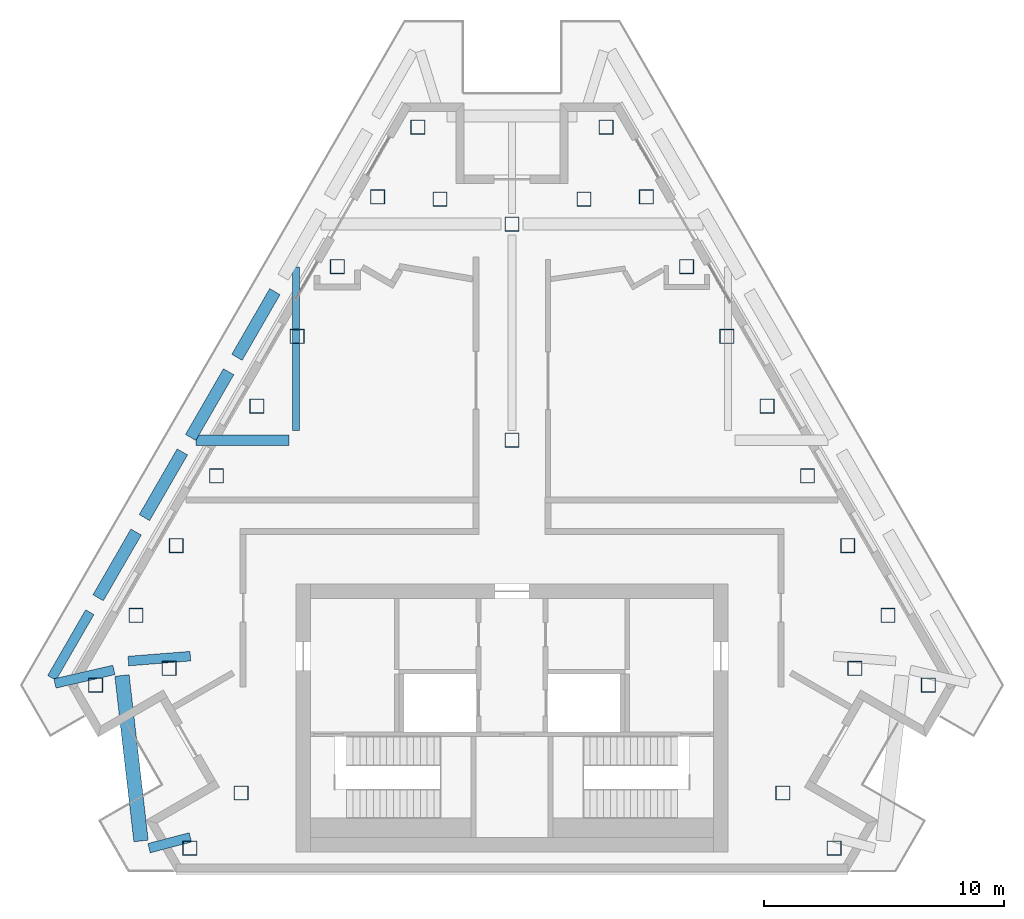
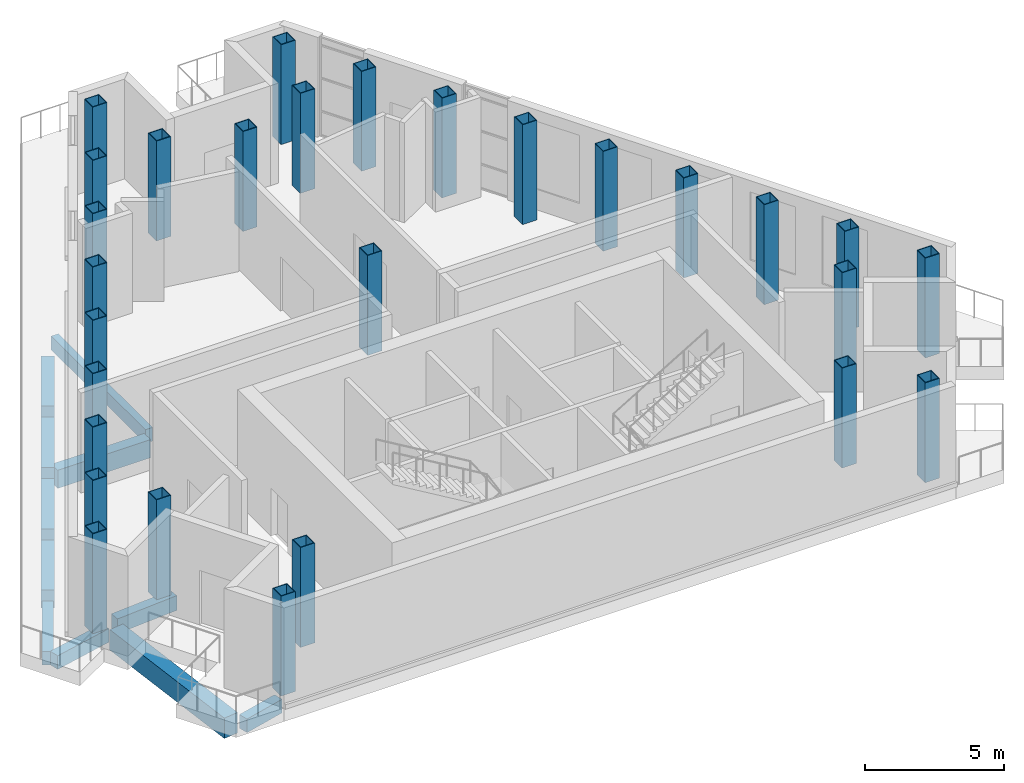
# One storey, part 1 of 7: 28 columns, 11 beams.
"""IFC4 building model written with IfcOpenShell, lengths in metres."""

from ifc_helpers import new_model, si_unit, direction, frame, origin, origin_2d, place, context, subcontext, project, spatial, rectangle, hollow_rectangle, extrude, material, material_profile, profile_set, type_object, element, save


model = new_model("IFC4")

# Units and contexts
model_context = context("Model", 3, precision=1e-05, world=origin(), true_north=direction((0.0, 1.0)))
body_context = subcontext(model_context, "Body", "Model", "MODEL_VIEW")
ifc_project = project(units=[si_unit("LENGTHUNIT", "METRE"), si_unit("AREAUNIT", "SQUARE_METRE"), si_unit("VOLUMEUNIT", "CUBIC_METRE"), si_unit("PLANEANGLEUNIT", "RADIAN"), si_unit("MASSUNIT", "GRAM", prefix="KILO")], contexts=[model_context])

# Site, building, storey
site_placement = place(None, origin())
site = spatial("IfcSite", under=ifc_project, at=site_placement, CompositionType="ELEMENT")
building_placement = place(site_placement, origin())
building = spatial("IfcBuilding", under=site, at=building_placement, Name="Fogline Exchange Tower", CompositionType="ELEMENT")
storey_placement = place(building_placement, frame((0.0, 0.0, 350.10009765625)))
storey = spatial("IfcBuildingStorey", under=building, at=storey_placement, Name="L79", CompositionType="ELEMENT", Elevation=350.10009765625)

# Columns
ifc_material_1 = material(Name="Steel Q355B", Category="steel")
ifc_material_profile_1 = material_profile(ifc_material_1, hollow_rectangle(XDim=0.60009765625, YDim=0.60009765625, WallThickness=0.030029296875, at=origin_2d()), Name="BOX600X600X30")
ifc_profile_set_1 = profile_set([ifc_material_profile_1], Name="Steel Q355B")
column_type = type_object("IfcColumnType", Name="C08", PredefinedType="COLUMN", material=ifc_profile_set_1)
for number, where, z_axis, x_axis, name in (
    (1, (-17.34521484375, 7.794189453125, 0.0), (0.0, 0.0, 1.0), (1.0, 0.0, 0.0), "SW-a"),
    (2, (-14.285888671875, 8.4951171875, 0.0), (0.0, 0.0, 1.0), (1.0, 0.0, 0.0), "SW-p4"),
    (3, (-11.285888671875, 3.299072265625, 0.0), (0.0, 0.0, 1.0), (1.0, 0.0, 0.0), "SW-p3"),
    (4, (-13.422607421875, 1.0, 0.0), (0.0, 0.0, 1.0), (1.0, 0.0, 0.0), "SW-b"),
    (5, (13.422607421875, 1.0, 0.0), (0.0, 0.0, 1.0), (1.0, 0.0, 0.0), "SE-a"),
    (6, (11.285888671875, 3.299072265625, 0.0), (0.0, 0.0, 1.0), (1.0, 0.0, 0.0), "SE-p4"),
    (7, (14.285888671875, 8.4951171875, 0.0), (0.0, 0.0, 1.0), (1.0, 0.0, 0.0), "SE-p3"),
    (8, (17.34521484375, 7.794189453125, 0.0), (0.0, 0.0, 1.0), (1.0, 0.0, 0.0), "SE-b"),
    (9, (15.66748046875, 10.7001953125, 0.0), (0.0, 0.0, 1.0), (1.0, 0.0, 0.0), "E1"),
    (10, (13.989501953125, 13.6064453125, 0.0), (0.0, 0.0, 1.0), (1.0, 0.0, 0.0), "E2"),
    (11, (12.311767578125, 16.512451171875, 0.0), (0.0, 0.0, 1.0), (1.0, 0.0, 0.0), "E3"),
    (12, (10.634033203125, 19.418701171875, 0.0), (0.0, 0.0, 1.0), (1.0, 0.0, 0.0), "E4"),
    (13, (8.9560546875, 22.32470703125, 0.0), (0.0, 0.0, 1.0), (1.0, 0.0, 0.0), "E5"),
    (14, (7.2783203125, 25.230712890625, 0.0), (0.0, 0.0, 1.0), (1.0, 0.0, 0.0), "E6"),
    (15, (5.6005859375, 28.136962890625, 0.0), (0.0, 0.0, 1.0), (1.0, 0.0, 0.0), "E7"),
    (16, (3.922607421875, 31.04296875, 0.0), (0.0, 0.0, 1.0), (1.0, 0.0, 0.0), "N-a"),
    (17, (3.0, 28.04296875, 0.0), (0.0, 0.0, 1.0), (1.0, 0.0, 0.0), "N-p4"),
    (18, (-3.0, 28.04296875, 0.0), (0.0, 0.0, 1.0), (1.0, 0.0, 0.0), "N-p3"),
    (19, (-3.922607421875, 31.04296875, 0.0), (0.0, 0.0, 1.0), (1.0, 0.0, 0.0), "N-b"),
    (20, (-5.6005859375, 28.136962890625, 0.0), (0.0, 0.0, 1.0), (1.0, 0.0, 0.0), "W1"),
    (21, (-7.2783203125, 25.230712890625, 0.0), (0.0, 0.0, 1.0), (1.0, 0.0, 0.0), "W2"),
    (22, (-8.9560546875, 22.32470703125, 0.0), (0.0, 0.0, 1.0), (1.0, 0.0, 0.0), "W3"),
    (23, (-10.634033203125, 19.418701171875, 0.0), (0.0, 0.0, 1.0), (1.0, 0.0, 0.0), "W4"),
    (24, (-12.311767578125, 16.512451171875, 0.0), (0.0, 0.0, 1.0), (1.0, 0.0, 0.0), "W5"),
    (25, (-13.989501953125, 13.6064453125, 0.0), (0.0, 0.0, 1.0), (1.0, 0.0, 0.0), "W6"),
    (26, (-15.66748046875, 10.7001953125, 0.0), (0.0, 0.0, 1.0), (1.0, 0.0, 0.0), "W7"),
    (27, (0.0, 18.0, 0.0), (0.0, 0.0, 1.0), (1.0, 0.0, 0.0), "CI18-1"),
    (28, (0.0, 27.0, 0.0), (0.0, 0.0, 1.0), (1.0, 0.0, 0.0), "CI27-1"),
):
    element("IfcColumn", number, at=place(storey_placement, frame(where, z_axis=z_axis, x_axis=x_axis)), inside=storey, type_object=column_type, Name=name, PredefinedType="COLUMN", context=body_context, shape_type="SweptSolid", body=[
        extrude(hollow_rectangle(XDim=0.60009765625, YDim=0.60009765625, WallThickness=0.030029296875, at=origin_2d()), origin(), (0.0, 0.0, 1.0), 4.39990234375),
    ])

# Beams
ifc_material_2 = material(Name="Concrete C40", Category="concrete")
ifc_material_profile_2 = material_profile(ifc_material_2, rectangle(XDim=0.300048828125, YDim=0.60009765625, at=origin_2d()), Name="RC 300x600")
ifc_profile_set_2 = profile_set([ifc_material_profile_2], Name="Concrete C40")
beam_type_1 = type_object("IfcBeamType", Name="B06", PredefinedType="BEAM", material=ifc_profile_set_2)
beam_1_placement = place(storey_placement, frame((-9.0, 18.39990234375, -0.900146484375), z_axis=(0.0, 1.0, 0.0), x_axis=(-1.0, 0.0, 0.0)))
element("IfcBeam", 29, at=beam_1_placement, inside=storey, type_object=beam_type_1, Name="SB001", PredefinedType="BEAM", context=body_context, shape_type="SweptSolid", body=[
    extrude(rectangle(XDim=0.300048828125, YDim=0.60009765625, at=origin_2d()), origin(), (0.0, 0.0, 1.0), 6.81298828125),
])
ifc_material_profile_3 = material_profile(ifc_material_2, rectangle(XDim=0.60009765625, YDim=0.89990234375, at=origin_2d()), Name="RC 600x900")
ifc_profile_set_3 = profile_set([ifc_material_profile_3], Name="Concrete C40")
beam_type_2 = type_object("IfcBeamType", Name="B09", PredefinedType="BEAM", material=ifc_profile_set_3)
beam_2_placement = place(storey_placement, frame((-16.251220703125, 8.1953125, -1.050048828125), z_axis=(0.114387793062, -0.993436174497, 0.0), x_axis=(0.993436174497, 0.114387793062, 0.0)))
element("IfcBeam", 30, at=beam_2_placement, inside=storey, type_object=beam_type_2, Name="RB002", PredefinedType="BEAM", context=body_context, shape_type="SweptSolid", body=[
    extrude(rectangle(XDim=0.60009765625, YDim=0.89990234375, at=origin_2d()), origin(), (0.0, 0.0, 1.0), 6.94091796875),
])
ifc_material_profile_4 = material_profile(ifc_material_2, rectangle(XDim=0.5, YDim=0.800048828125, at=origin_2d()), Name="RC 500x800")
ifc_profile_set_4 = profile_set([ifc_material_profile_4], Name="Concrete C40")
beam_type_3 = type_object("IfcBeamType", Name="B10", PredefinedType="BEAM", material=ifc_profile_set_4)
beam_3_placement = place(storey_placement, frame((-9.87939453125, 24.189697265625, -1.0), z_axis=(-0.49998305571, -0.866035186354, 0.0), x_axis=(0.866035186354, -0.49998305571, 0.0)))
element("IfcBeam", 31, at=beam_3_placement, inside=storey, type_object=beam_type_3, Name="RB021", PredefinedType="BEAM", context=body_context, shape_type="SweptSolid", body=[
    extrude(rectangle(XDim=0.5, YDim=0.800048828125, at=origin_2d()), origin(), (0.0, 0.0, 1.0), 3.16259765625),
])
beam_4_placement = place(storey_placement, frame((-11.80712890625, 20.8505859375, -1.0), z_axis=(-0.500040948879, -0.866001760647, 0.0), x_axis=(0.866001760647, -0.500040948879, 0.0)))
element("IfcBeam", 32, at=beam_4_placement, inside=storey, type_object=beam_type_3, Name="RB022", PredefinedType="BEAM", context=body_context, shape_type="SweptSolid", body=[
    extrude(rectangle(XDim=0.5, YDim=0.800048828125, at=origin_2d()), origin(), (0.0, 0.0, 1.0), 3.162841796875),
])
beam_5_placement = place(storey_placement, frame((-13.735107421875, 17.511474609375, -1.0), z_axis=(-0.49998305571, -0.866035186354, 0.0), x_axis=(0.866035186354, -0.49998305571, 0.0)))
element("IfcBeam", 33, at=beam_5_placement, inside=storey, type_object=beam_type_3, Name="RB023", PredefinedType="BEAM", context=body_context, shape_type="SweptSolid", body=[
    extrude(rectangle(XDim=0.5, YDim=0.800048828125, at=origin_2d()), origin(), (0.0, 0.0, 1.0), 3.16259765625),
])
beam_6_placement = place(storey_placement, frame((-15.662841796875, 14.17236328125, -1.0), z_axis=(-0.500040948879, -0.866001760647, 0.0), x_axis=(0.866001760647, -0.500040948879, 0.0)))
element("IfcBeam", 34, at=beam_6_placement, inside=storey, type_object=beam_type_3, Name="RB024", PredefinedType="BEAM", context=body_context, shape_type="SweptSolid", body=[
    extrude(rectangle(XDim=0.5, YDim=0.800048828125, at=origin_2d()), origin(), (0.0, 0.0, 1.0), 3.162841796875),
])
ifc_material_profile_5 = material_profile(ifc_material_2, rectangle(XDim=0.39990234375, YDim=0.60009765625, at=origin_2d()), Name="RC 400x600")
ifc_profile_set_5 = profile_set([ifc_material_profile_5], Name="Concrete C40")
beam_type_4 = type_object("IfcBeamType", Name="B11", PredefinedType="BEAM", material=ifc_profile_set_5)
beam_7_placement = place(storey_placement, frame((-19.04541015625, 7.863037109375, -0.900146484375), z_axis=(0.974745483976, 0.223318699327, 0.0), x_axis=(-0.223318699327, 0.974745483976, 0.0)))
element("IfcBeam", 35, at=beam_7_placement, inside=storey, type_object=beam_type_4, Name="RB001", PredefinedType="BEAM", context=body_context, shape_type="SweptSolid", body=[
    extrude(rectangle(XDim=0.39990234375, YDim=0.60009765625, at=origin_2d()), origin(), (0.0, 0.0, 1.0), 2.523193359375),
])
beam_8_placement = place(storey_placement, frame((-15.122802734375, 1.0, -0.900146484375), z_axis=(0.967548805755, 0.252684207029, 0.0), x_axis=(-0.252684207029, 0.967548805755, 0.0)))
element("IfcBeam", 36, at=beam_8_placement, inside=storey, type_object=beam_type_4, Name="RB003", PredefinedType="BEAM", context=body_context, shape_type="SweptSolid", body=[
    extrude(rectangle(XDim=0.39990234375, YDim=0.60009765625, at=origin_2d()), origin(), (0.0, 0.0, 1.0), 1.78076171875),
])
beam_9_placement = place(storey_placement, frame((-17.5908203125, 10.833251953125, -0.900146484375), z_axis=(-0.49998305571, -0.866035186354, 0.0), x_axis=(0.866035186354, -0.49998305571, 0.0)))
element("IfcBeam", 37, at=beam_9_placement, inside=storey, type_object=beam_type_4, Name="RB025", PredefinedType="BEAM", context=body_context, shape_type="SweptSolid", body=[
    extrude(rectangle(XDim=0.39990234375, YDim=0.60009765625, at=origin_2d()), origin(), (0.0, 0.0, 1.0), 3.16259765625),
])
ifc_material_profile_6 = material_profile(ifc_material_2, rectangle(XDim=0.39990234375, YDim=0.64990234375, at=origin_2d()), Name="RC 400x650")
ifc_profile_set_6 = profile_set([ifc_material_profile_6], Name="Concrete C40")
beam_type_5 = type_object("IfcBeamType", Name="B13", PredefinedType="BEAM", material=ifc_profile_set_6)
beam_10_placement = place(storey_placement, frame((-15.98583984375, 8.795166015625, -0.925048828125), z_axis=(0.996877516498, 0.078963390893, 0.0), x_axis=(-0.078963390893, 0.996877516498, 0.0)))
element("IfcBeam", 38, at=beam_10_placement, inside=storey, type_object=beam_type_5, Name="GB001", PredefinedType="BEAM", context=body_context, shape_type="SweptSolid", body=[
    extrude(rectangle(XDim=0.39990234375, YDim=0.64990234375, at=origin_2d()), origin(), (0.0, 0.0, 1.0), 2.593994140625),
])
ifc_material_profile_7 = material_profile(ifc_material_2, rectangle(XDim=0.449951171875, YDim=0.800048828125, at=origin_2d()), Name="RC 450x800")
ifc_profile_set_7 = profile_set([ifc_material_profile_7], Name="Concrete C40")
beam_type_6 = type_object("IfcBeamType", Name="B18", PredefinedType="BEAM", material=ifc_profile_set_7)
beam_11_placement = place(storey_placement, frame((-13.164306640625, 18.0, -1.0), z_axis=(1.0, 0.0, 0.0), x_axis=(0.0, 1.0, 0.0)))
element("IfcBeam", 39, at=beam_11_placement, inside=storey, type_object=beam_type_6, Name="GB003", PredefinedType="BEAM", context=body_context, shape_type="SweptSolid", body=[
    extrude(rectangle(XDim=0.449951171875, YDim=0.800048828125, at=origin_2d()), origin(), (0.0, 0.0, 1.0), 3.8681640625),
])

save(model, "model.ifc")
